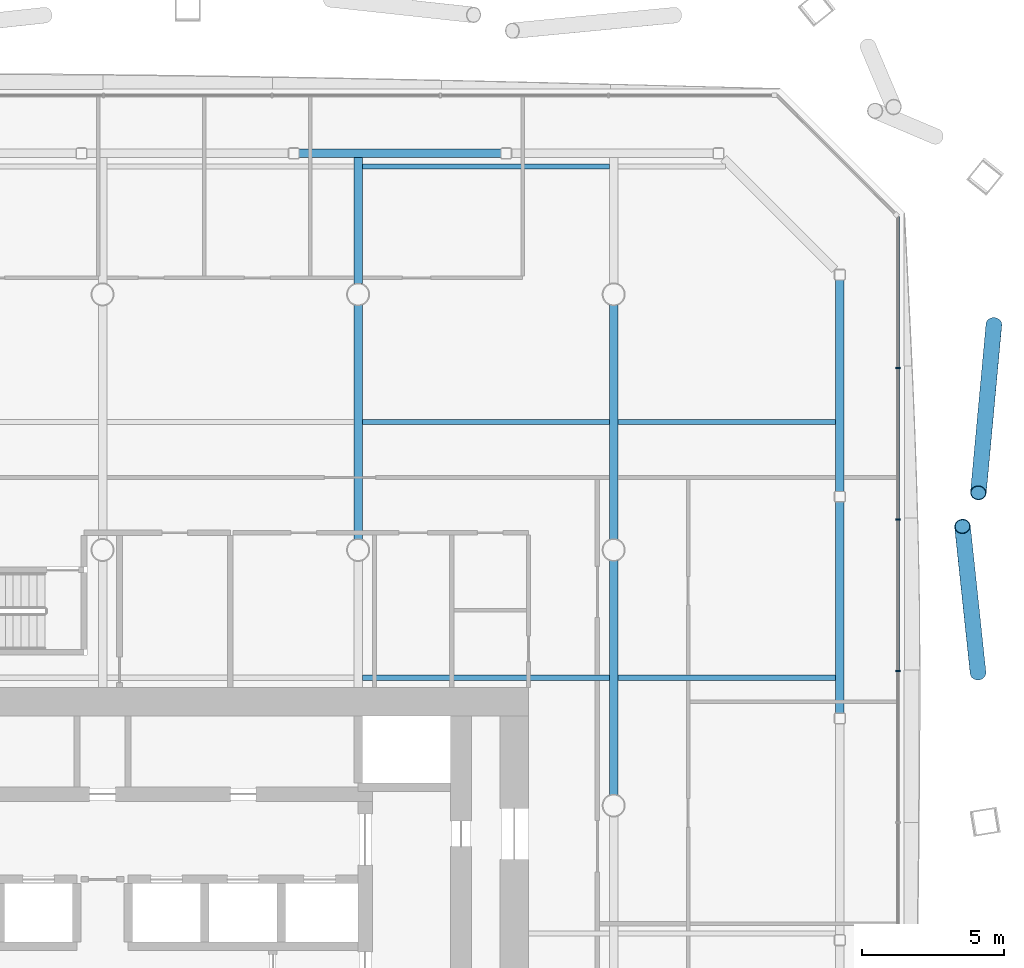
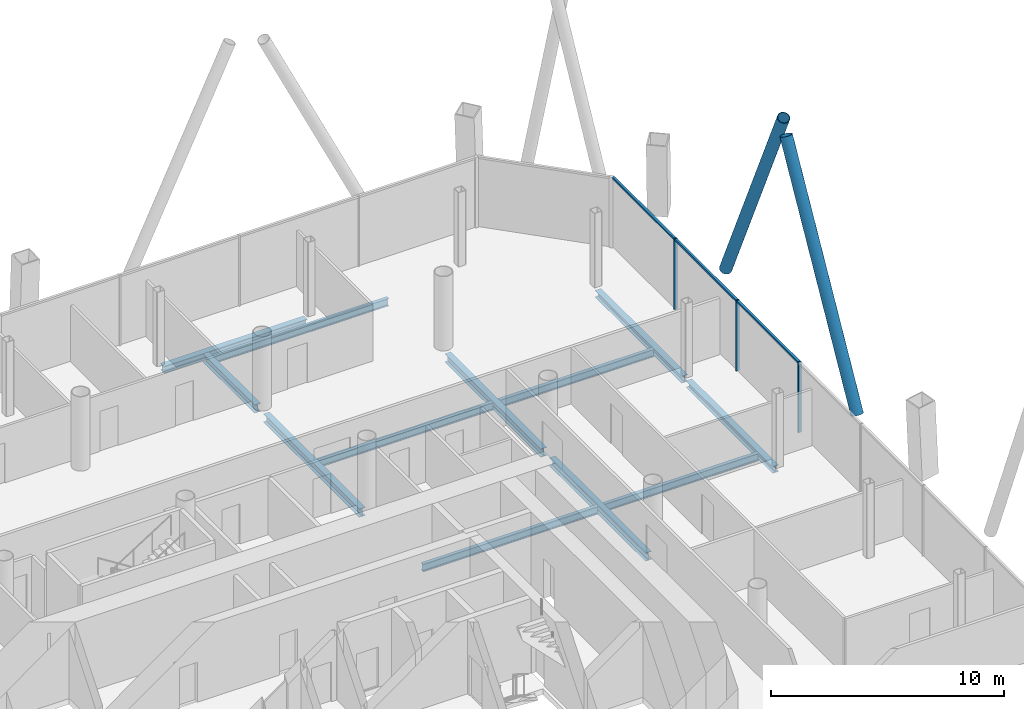
# One storey, part 11 of 22: 12 beams, 8 members, 1 element without a shape of its own.
"""IFC4 building model written with IfcOpenShell, lengths in metres."""

from ifc_helpers import new_model, si_unit, direction, frame, origin, origin_2d, place, context, subcontext, project, spatial, rectangle, hollow_circle, i_section, extrude, material, material_profile, profile_set, type_object, element, aggregate, save


model = new_model("IFC4")

# Units and contexts
model_context = context("Model", 3, precision=1e-05, world=origin(), true_north=direction((0.0, 1.0)))
body_context = subcontext(model_context, "Body", "Model", "MODEL_VIEW")
ifc_project = project(units=[si_unit("LENGTHUNIT", "METRE"), si_unit("AREAUNIT", "SQUARE_METRE"), si_unit("VOLUMEUNIT", "CUBIC_METRE"), si_unit("PLANEANGLEUNIT", "RADIAN"), si_unit("MASSUNIT", "GRAM", prefix="KILO")], contexts=[model_context])

# Site, building, storey
site_placement = place(None, origin())
site = spatial("IfcSite", under=ifc_project, at=site_placement, CompositionType="ELEMENT")
building_placement = place(site_placement, origin())
building = spatial("IfcBuilding", under=site, at=building_placement, Name="Tskaro Facet Tower", CompositionType="ELEMENT")
storey_placement = place(building_placement, frame((0.0, 0.0, 73.800048828125)))
storey = spatial("IfcBuildingStorey", under=building, at=storey_placement, Name="L17", CompositionType="ELEMENT", Elevation=73.800048828125)

# Members
ifc_material_1 = material(Name="Steel S355J2H", Category="steel")
ifc_material_profile_1 = material_profile(ifc_material_1, hollow_circle(Radius=0.279541015625, WallThickness=0.02490234375, at=origin_2d()), Name="CHS 559x25")
ifc_profile_set_1 = profile_set([ifc_material_profile_1], Name="Steel S355J2H")
member_type_1 = type_object("IfcMemberType", Name="CHS 559x25 brace", PredefinedType="BRACE", material=ifc_profile_set_1)
member_1_placement = place(storey_placement, frame((30.83154296875, 4.6767578125, 0.0), z_axis=(-0.042830293979, 0.402814622306, 0.914278921322), x_axis=(-0.994394709147, -0.105731558304, 0.0)))
element("IfcMember", 1, at=member_1_placement, inside=storey, type_object=member_type_1, Name="CHS 559x25 XB05A/2", PredefinedType="BRACE", context=body_context, shape_type="SweptSolid", body=[
    extrude(hollow_circle(Radius=0.279541015625, WallThickness=0.02490234375, at=origin_2d()), origin(), (0.0, 0.0, 1.0), 12.796875),
])
member_2_placement = place(storey_placement, frame((31.390380859375, 16.93505859375, 0.0), z_axis=(-0.041738890119, -0.45133429979, 0.891378267003), x_axis=(0.9957510629, -0.092085942104, 0.0)))
element("IfcMember", 2, at=member_2_placement, inside=storey, type_object=member_type_1, Name="CHS 559x25 XB05B/2", PredefinedType="BRACE", context=body_context, shape_type="SweptSolid", body=[
    extrude(hollow_circle(Radius=0.279541015625, WallThickness=0.02490234375, at=origin_2d()), origin(), (0.0, 0.0, 1.0), 13.125732421875),
])

# Curtain wall, members
ifc_material_2 = material(Name="Bronze anodised aluminium 6063-T6", Category="aluminium")
curtain_wall_type = type_object("IfcCurtainWallType", Name="Bronze office curtain wall (FW1)", PredefinedType="NOTDEFINED", material=ifc_material_2)
curtain_wall_placement = place(storey_placement, origin())
curtain_wall = element("IfcCurtainWall", 3, at=curtain_wall_placement, inside=storey, type_object=curtain_wall_type, Name="FW1 east facet L17", PredefinedType="NOTDEFINED")
ifc_material_profile_2 = material_profile(ifc_material_2, rectangle(XDim=0.06005859375, YDim=0.159912109375, at=origin_2d()), Name="Mullion 60x160")
ifc_profile_set_2 = profile_set([ifc_material_profile_2], Name="Bronze anodised aluminium 6063-T6")
member_type_2 = type_object("IfcMemberType", Name="FW1 bronze mullion 60x160", PredefinedType="MULLION", material=ifc_profile_set_2)
member_3_placement = place(storey_placement, frame((28.010986328125, 4.73779296875, 0.0), z_axis=(0.0, 0.0, 1.0), x_axis=(0.0, 1.0, 0.0)))
member_3 = element("IfcMember", 4, at=member_3_placement, type_object=member_type_2, Name="FW1 east mullion 5", PredefinedType="MULLION", context=body_context, shape_type="SweptSolid", body=[
    extrude(rectangle(XDim=0.06005859375, YDim=0.159912109375, at=origin_2d()), origin(), (0.0, 0.0, 1.0), 3.699951171875),
])
member_4_placement = place(storey_placement, frame((28.010986328125, 10.0732421875, 0.0), z_axis=(0.0, 0.0, 1.0), x_axis=(0.0, 1.0, 0.0)))
member_4 = element("IfcMember", 5, at=member_4_placement, type_object=member_type_2, Name="FW1 east mullion 6", PredefinedType="MULLION", context=body_context, shape_type="SweptSolid", body=[
    extrude(rectangle(XDim=0.06005859375, YDim=0.159912109375, at=origin_2d()), origin(), (0.0, 0.0, 1.0), 3.699951171875),
])
member_5_placement = place(storey_placement, frame((28.010986328125, 15.40869140625, 0.0), z_axis=(0.0, 0.0, 1.0), x_axis=(0.0, 1.0, 0.0)))
member_5 = element("IfcMember", 6, at=member_5_placement, type_object=member_type_2, Name="FW1 east mullion 7", PredefinedType="MULLION", context=body_context, shape_type="SweptSolid", body=[
    extrude(rectangle(XDim=0.06005859375, YDim=0.159912109375, at=origin_2d()), origin(), (0.0, 0.0, 1.0), 3.699951171875),
])
ifc_material_profile_3 = material_profile(ifc_material_2, rectangle(XDim=0.1201171875, YDim=0.10009765625, at=origin_2d()), Name="Transom 120x100")
ifc_profile_set_3 = profile_set([ifc_material_profile_3], Name="Bronze anodised aluminium 6063-T6")
member_type_3 = type_object("IfcMemberType", Name="FW1 bronze transom 120x100", PredefinedType="USERDEFINED", material=ifc_profile_set_3)
member_6_placement = place(storey_placement, frame((28.010986328125, 4.767822265625, 3.64990234375), z_axis=(0.0, 1.0, 0.0), x_axis=(-1.0, 0.0, 0.0)))
member_6 = element("IfcMember", 7, at=member_6_placement, type_object=member_type_3, Name="FW1 east transom 6.1", ObjectType="TRANSOM", PredefinedType="USERDEFINED", context=body_context, shape_type="SweptSolid", body=[
    extrude(rectangle(XDim=0.1201171875, YDim=0.10009765625, at=origin_2d()), origin(), (0.0, 0.0, 1.0), 5.275390625),
])
member_7_placement = place(storey_placement, frame((28.010986328125, 10.103271484375, 3.64990234375), z_axis=(0.0, 1.0, 0.0), x_axis=(-1.0, 0.0, 0.0)))
member_7 = element("IfcMember", 8, at=member_7_placement, type_object=member_type_3, Name="FW1 east transom 7.1", ObjectType="TRANSOM", PredefinedType="USERDEFINED", context=body_context, shape_type="SweptSolid", body=[
    extrude(rectangle(XDim=0.1201171875, YDim=0.10009765625, at=origin_2d()), origin(), (0.0, 0.0, 1.0), 5.275390625),
])
member_8_placement = place(storey_placement, frame((28.010986328125, 15.438720703125, 3.64990234375), z_axis=(0.0, 1.0, 0.0), x_axis=(-1.0, 0.0, 0.0)))
member_8 = element("IfcMember", 9, at=member_8_placement, type_object=member_type_3, Name="FW1 east transom 8.1", ObjectType="TRANSOM", PredefinedType="USERDEFINED", context=body_context, shape_type="SweptSolid", body=[
    extrude(rectangle(XDim=0.1201171875, YDim=0.10009765625, at=origin_2d()), origin(), (0.0, 0.0, 1.0), 5.30517578125),
])
aggregate(curtain_wall, [member_3, member_4, member_5, member_6, member_7, member_8])

# Beams
ifc_material_3 = material(Name="Steel S355J2", Category="steel")
ifc_material_profile_4 = material_profile(ifc_material_3, i_section(OverallWidth=0.300048828125, OverallDepth=0.360107421875, WebThickness=0.012451171875, FlangeThickness=0.0224609375, FilletRadius=0.027099609375, at=origin_2d()), Name="HE 360 B")
ifc_profile_set_4 = profile_set([ifc_material_profile_4], Name="Steel S355J2")
beam_type_1 = type_object("IfcBeamType", Name="HE 360 B ring beam", PredefinedType="BEAM", material=ifc_profile_set_4)
for number, where, z_axis, x_axis, name in (
    (10, (25.965087890625, 3.248046875, -0.320068359375), (0.0, 1.0, 0.0), (-1.0, 0.0, 0.0), "HE 360 B EB10-2"),
    (11, (25.965087890625, 11.05908203125, -0.320068359375), (0.0, 1.0, 0.0), (-1.0, 0.0, 0.0), "HE 360 B EB11-2"),
):
    element("IfcBeam", number, at=place(storey_placement, frame(where, z_axis=z_axis, x_axis=x_axis)), inside=storey, type_object=beam_type_1, Name=name, PredefinedType="BEAM", context=body_context, shape_type="SweptSolid", body=[
        extrude(i_section(OverallWidth=0.300048828125, OverallDepth=0.360107421875, WebThickness=0.012451171875, FlangeThickness=0.0224609375, FilletRadius=0.027099609375, at=origin_2d()), origin(), (0.0, 0.0, 1.0), 7.450927734375),
    ])
beam_1_placement = place(storey_placement, frame((14.033935546875, 22.965087890625, -0.320068359375), z_axis=(-1.0, 0.0, 0.0), x_axis=(0.0, -1.0, 0.0)))
element("IfcBeam", 12, at=beam_1_placement, inside=storey, type_object=beam_type_1, Name="HE 360 B EB14-2", PredefinedType="BEAM", context=body_context, shape_type="SweptSolid", body=[
    extrude(i_section(OverallWidth=0.300048828125, OverallDepth=0.360107421875, WebThickness=0.012451171875, FlangeThickness=0.0224609375, FilletRadius=0.027099609375, at=origin_2d()), origin(), (0.0, 0.0, 1.0), 7.115966796875),
])
ifc_material_profile_5 = material_profile(ifc_material_3, i_section(OverallWidth=0.300048828125, OverallDepth=0.43994140625, WebThickness=0.011474609375, FlangeThickness=0.02099609375, FilletRadius=0.027099609375, at=origin_2d()), Name="HE 450 A")
ifc_profile_set_5 = profile_set([ifc_material_profile_5], Name="Steel S355J2")
beam_type_2 = type_object("IfcBeamType", Name="HE 450 A girder", PredefinedType="BEAM", material=ifc_profile_set_5)
beam_2_placement = place(storey_placement, frame((9.0, 9.37646484375, -0.360107421875), z_axis=(0.0, 1.0, 0.0), x_axis=(-1.0, 0.0, 0.0)))
element("IfcBeam", 13, at=beam_2_placement, inside=storey, type_object=beam_type_2, Name="HE 450 A GB5-4-2", PredefinedType="BEAM", context=body_context, shape_type="SweptSolid", body=[
    extrude(i_section(OverallWidth=0.300048828125, OverallDepth=0.43994140625, WebThickness=0.011474609375, FlangeThickness=0.02099609375, FilletRadius=0.027099609375, at=origin_2d()), origin(), (0.0, 0.0, 1.0), 8.2470703125),
])
beam_3_placement = place(storey_placement, frame((9.0, 18.37646484375, -0.360107421875), z_axis=(0.0, 1.0, 0.0), x_axis=(-1.0, 0.0, 0.0)))
element("IfcBeam", 14, at=beam_3_placement, inside=storey, type_object=beam_type_2, Name="HE 450 A GB5-5-2", PredefinedType="BEAM", context=body_context, shape_type="SweptSolid", body=[
    extrude(i_section(OverallWidth=0.300048828125, OverallDepth=0.43994140625, WebThickness=0.011474609375, FlangeThickness=0.02099609375, FilletRadius=0.027099609375, at=origin_2d()), origin(), (0.0, 0.0, 1.0), 4.4384765625),
])
for number, where, z_axis, x_axis, name in (
    (15, (18.0, 0.37646484375, -0.360107421875), (0.0, 1.0, 0.0), (-1.0, 0.0, 0.0), "HE 450 A GB6-4-2"),
    (16, (18.0, 9.37646484375, -0.360107421875), (0.0, 1.0, 0.0), (-1.0, 0.0, 0.0), "HE 450 A GB6-5-2"),
):
    element("IfcBeam", number, at=place(storey_placement, frame(where, z_axis=z_axis, x_axis=x_axis)), inside=storey, type_object=beam_type_2, Name=name, PredefinedType="BEAM", context=body_context, shape_type="SweptSolid", body=[
        extrude(i_section(OverallWidth=0.300048828125, OverallDepth=0.43994140625, WebThickness=0.011474609375, FlangeThickness=0.02099609375, FilletRadius=0.027099609375, at=origin_2d()), origin(), (0.0, 0.0, 1.0), 8.2470703125),
    ])
ifc_material_profile_6 = material_profile(ifc_material_3, i_section(OverallWidth=0.179931640625, OverallDepth=0.39990234375, WebThickness=0.008544921875, FlangeThickness=0.013427734375, FilletRadius=0.02099609375, at=origin_2d()), Name="IPE 400")
ifc_profile_set_6 = profile_set([ifc_material_profile_6], Name="Steel S355J2")
beam_type_3 = type_object("IfcBeamType", Name="IPE 400 secondary beam", PredefinedType="BEAM", material=ifc_profile_set_6)
beam_4_placement = place(storey_placement, frame((9.14990234375, 4.5, -0.340087890625), z_axis=(1.0, 0.0, 0.0), x_axis=(0.0, 1.0, 0.0)))
element("IfcBeam", 17, at=beam_4_placement, inside=storey, type_object=beam_type_3, Name="IPE 400 SB4a-4-2", PredefinedType="BEAM", context=body_context, shape_type="SweptSolid", body=[
    extrude(i_section(OverallWidth=0.179931640625, OverallDepth=0.39990234375, WebThickness=0.008544921875, FlangeThickness=0.013427734375, FilletRadius=0.02099609375, at=origin_2d()), origin(), (0.0, 0.0, 1.0), 8.7001953125),
])
beam_5_placement = place(storey_placement, frame((18.14990234375, 4.5, -0.340087890625), z_axis=(1.0, 0.0, 0.0), x_axis=(0.0, 1.0, 0.0)))
element("IfcBeam", 18, at=beam_5_placement, inside=storey, type_object=beam_type_3, Name="IPE 400 SB4a-5-2", PredefinedType="BEAM", context=body_context, shape_type="SweptSolid", body=[
    extrude(i_section(OverallWidth=0.179931640625, OverallDepth=0.39990234375, WebThickness=0.008544921875, FlangeThickness=0.013427734375, FilletRadius=0.02099609375, at=origin_2d()), origin(), (0.0, 0.0, 1.0), 7.6650390625),
])
beam_6_placement = place(storey_placement, frame((9.14990234375, 13.5, -0.340087890625), z_axis=(1.0, 0.0, 0.0), x_axis=(0.0, 1.0, 0.0)))
element("IfcBeam", 19, at=beam_6_placement, inside=storey, type_object=beam_type_3, Name="IPE 400 SB5a-4-2", PredefinedType="BEAM", context=body_context, shape_type="SweptSolid", body=[
    extrude(i_section(OverallWidth=0.179931640625, OverallDepth=0.39990234375, WebThickness=0.008544921875, FlangeThickness=0.013427734375, FilletRadius=0.02099609375, at=origin_2d()), origin(), (0.0, 0.0, 1.0), 8.7001953125),
])
beam_7_placement = place(storey_placement, frame((18.14990234375, 13.5, -0.340087890625), z_axis=(1.0, 0.0, 0.0), x_axis=(0.0, 1.0, 0.0)))
element("IfcBeam", 20, at=beam_7_placement, inside=storey, type_object=beam_type_3, Name="IPE 400 SB5a-5-2", PredefinedType="BEAM", context=body_context, shape_type="SweptSolid", body=[
    extrude(i_section(OverallWidth=0.179931640625, OverallDepth=0.39990234375, WebThickness=0.008544921875, FlangeThickness=0.013427734375, FilletRadius=0.02099609375, at=origin_2d()), origin(), (0.0, 0.0, 1.0), 7.6650390625),
])
beam_8_placement = place(storey_placement, frame((9.14990234375, 22.5, -0.340087890625), z_axis=(1.0, 0.0, 0.0), x_axis=(0.0, 1.0, 0.0)))
element("IfcBeam", 21, at=beam_8_placement, inside=storey, type_object=beam_type_3, Name="IPE 400 SB6a-4-2", PredefinedType="BEAM", context=body_context, shape_type="SweptSolid", body=[
    extrude(i_section(OverallWidth=0.179931640625, OverallDepth=0.39990234375, WebThickness=0.008544921875, FlangeThickness=0.013427734375, FilletRadius=0.02099609375, at=origin_2d()), origin(), (0.0, 0.0, 1.0), 8.7001953125),
])

save(model, "model.ifc")
